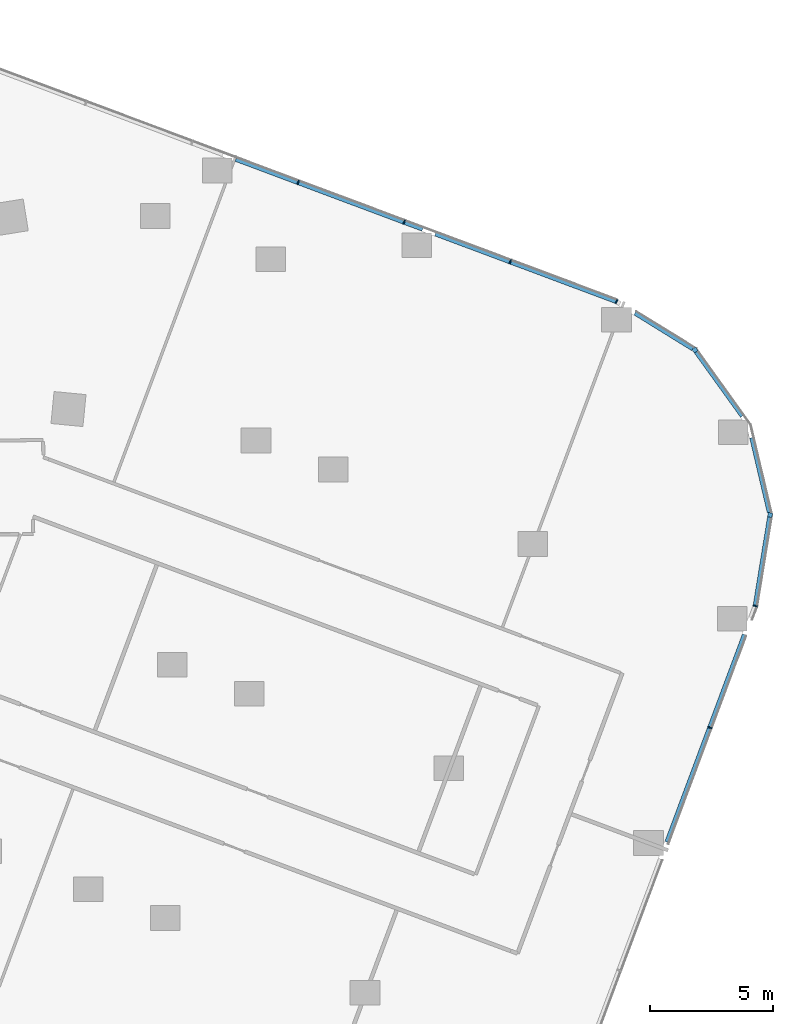
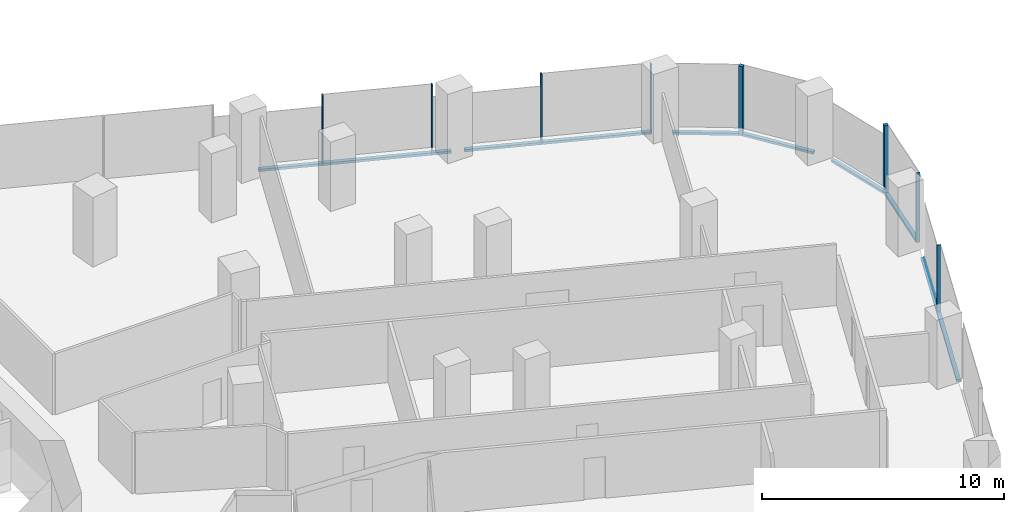
# One storey, part 10 of 31: 15 members, 6 elements without a shape of their own.
"""IFC4 building model written with IfcOpenShell, lengths in metres."""

from ifc_helpers import new_model, si_unit, direction, frame, origin, origin_2d, place, context, subcontext, project, spatial, rectangle, extrude, material, material_profile, profile_set, type_object, element, aggregate, save


model = new_model("IFC4")

# Units and contexts
model_context = context("Model", 3, precision=1e-05, world=origin(), true_north=direction((0.0, 1.0)))
body_context = subcontext(model_context, "Body", "Model", "MODEL_VIEW")
ifc_project = project(units=[si_unit("LENGTHUNIT", "METRE"), si_unit("AREAUNIT", "SQUARE_METRE"), si_unit("VOLUMEUNIT", "CUBIC_METRE"), si_unit("PLANEANGLEUNIT", "RADIAN"), si_unit("MASSUNIT", "GRAM", prefix="KILO")], contexts=[model_context])

# Site, building, storey
site_placement = place(None, origin())
site = spatial("IfcSite", under=ifc_project, at=site_placement, CompositionType="ELEMENT")
building_placement = place(site_placement, origin())
building = spatial("IfcBuilding", under=site, at=building_placement, Name="Orlundy Tower", CompositionType="ELEMENT")
storey_placement = place(building_placement, frame((0.0, 0.0, 94.699951171875)))
storey = spatial("IfcBuildingStorey", under=building, at=storey_placement, Name="L23", CompositionType="ELEMENT", Elevation=94.699951171875)

# Curtain wall, member
ifc_material_1 = material(Name="Aluminium bronze anodised", Category="aluminium")
curtain_wall_type = type_object("IfcCurtainWallType", Name="CW1 wall", PredefinedType="NOTDEFINED", material=ifc_material_1)
curtain_wall_1_placement = place(storey_placement, origin())
curtain_wall_1 = element("IfcCurtainWall", 1, at=curtain_wall_1_placement, inside=storey, type_object=curtain_wall_type, Name="CW1 run 08", PredefinedType="NOTDEFINED")
ifc_material_2 = material(Name="Aluminium bronze anodised", Category="aluminium")
ifc_material_profile_1 = material_profile(ifc_material_2, rectangle(XDim=0.179931640625, YDim=0.179931640625, at=origin_2d()), Name="CW1 corner post 180x180")
ifc_profile_set_1 = profile_set([ifc_material_profile_1], Name="Aluminium bronze anodised")
member_type_1 = type_object("IfcMemberType", Name="CW1 corner post 180x180", PredefinedType="MULLION", material=ifc_profile_set_1)
member_1_placement = place(storey_placement, frame((57.052490234375, -0.659912109375, -0.39990234375), z_axis=(0.0, 0.0, 1.0), x_axis=(0.811723617772, 0.584041752233, 0.0)))
member_1 = element("IfcMember", 2, at=member_1_placement, type_object=member_type_1, Name="CW1 mullion 33", PredefinedType="MULLION", context=body_context, shape_type="SweptSolid", body=[
    extrude(rectangle(XDim=0.179931640625, YDim=0.179931640625, at=origin_2d()), origin(), (0.0, 0.0, 1.0), 3.5),
])

curtain_wall_2_placement = place(storey_placement, origin())
curtain_wall_2 = element("IfcCurtainWall", 3, at=curtain_wall_2_placement, inside=storey, type_object=curtain_wall_type, Name="CW1 run 010", PredefinedType="NOTDEFINED")
member_2_placement = place(storey_placement, frame((60.0966796875, -7.3408203125, -0.39990234375), z_axis=(0.0, 0.0, 1.0), x_axis=(0.986985368462, -0.160810081906, 0.0)))
member_2 = element("IfcMember", 4, at=member_2_placement, type_object=member_type_1, Name="CW1 mullion 35", PredefinedType="MULLION", context=body_context, shape_type="SweptSolid", body=[
    extrude(rectangle(XDim=0.179931640625, YDim=0.179931640625, at=origin_2d()), origin(), (0.0, 0.0, 1.0), 3.5),
])

# Curtain wall, members
curtain_wall_3_placement = place(storey_placement, origin())
curtain_wall_3 = element("IfcCurtainWall", 5, at=curtain_wall_3_placement, inside=storey, type_object=curtain_wall_type, Name="CW1 run 06", PredefinedType="NOTDEFINED")
ifc_material_3 = material(Name="Aluminium bronze anodised", Category="aluminium")
ifc_material_profile_2 = material_profile(ifc_material_3, rectangle(XDim=0.179931640625, YDim=0.050048828125, at=origin_2d()), Name="CW1 mullion 50x180")
ifc_profile_set_2 = profile_set([ifc_material_profile_2], Name="Aluminium bronze anodised")
member_type_2 = type_object("IfcMemberType", Name="CW1 mullion 50x180", PredefinedType="MULLION", material=ifc_profile_set_2)
member_3_placement = place(storey_placement, frame((40.97509765625, 6.12841796875, -0.39990234375), z_axis=(0.0, 0.0, 1.0), x_axis=(0.350203812273, 0.93667352363, 0.0)))
member_3 = element("IfcMember", 6, at=member_3_placement, type_object=member_type_2, Name="CW1 mullion 29", PredefinedType="MULLION", context=body_context, shape_type="SweptSolid", body=[
    extrude(rectangle(XDim=0.179931640625, YDim=0.050048828125, at=origin_2d()), origin(), (0.0, 0.0, 1.0), 3.5),
])
member_4_placement = place(storey_placement, frame((45.273193359375, 4.521240234375, -0.39990234375), z_axis=(0.0, 0.0, 1.0), x_axis=(0.350203812273, 0.93667352363, 0.0)))
member_4 = element("IfcMember", 7, at=member_4_placement, type_object=member_type_2, Name="CW1 mullion 30", PredefinedType="MULLION", context=body_context, shape_type="SweptSolid", body=[
    extrude(rectangle(XDim=0.179931640625, YDim=0.050048828125, at=origin_2d()), origin(), (0.0, 0.0, 1.0), 3.5),
])
member_5_placement = place(storey_placement, frame((49.5712890625, 2.914306640625, -0.39990234375), z_axis=(0.0, 0.0, 1.0), x_axis=(0.350203812273, 0.93667352363, 0.0)))
member_5 = element("IfcMember", 8, at=member_5_placement, type_object=member_type_2, Name="CW1 mullion 31", PredefinedType="MULLION", context=body_context, shape_type="SweptSolid", body=[
    extrude(rectangle(XDim=0.179931640625, YDim=0.050048828125, at=origin_2d()), origin(), (0.0, 0.0, 1.0), 3.5),
])

# Curtain wall, member
curtain_wall_4_placement = place(storey_placement, origin())
curtain_wall_4 = element("IfcCurtainWall", 9, at=curtain_wall_4_placement, inside=storey, type_object=curtain_wall_type, Name="CW1 run 07", PredefinedType="NOTDEFINED")
member_6_placement = place(storey_placement, frame((53.8779296875, 1.30419921875, -0.39990234375), z_axis=(0.0, 0.0, 1.0), x_axis=(0.440276029631, 0.897862471503, 0.0)))
member_6 = element("IfcMember", 10, at=member_6_placement, type_object=member_type_2, Name="CW1 mullion 32", PredefinedType="MULLION", context=body_context, shape_type="SweptSolid", body=[
    extrude(rectangle(XDim=0.179931640625, YDim=0.050048828125, at=origin_2d()), origin(), (0.0, 0.0, 1.0), 3.5),
])

# Curtain wall, members
curtain_wall_5_placement = place(storey_placement, origin())
curtain_wall_5 = element("IfcCurtainWall", 11, at=curtain_wall_5_placement, inside=storey, type_object=curtain_wall_type, Name="CW1 run 011", PredefinedType="NOTDEFINED")
member_7_placement = place(storey_placement, frame((59.496337890625, -11.025146484375, -0.39990234375), z_axis=(0.0, 0.0, 1.0), x_axis=(0.966481186218, -0.256737446988, 0.0)))
member_7 = element("IfcMember", 12, at=member_7_placement, type_object=member_type_2, Name="CW1 mullion 36", PredefinedType="MULLION", context=body_context, shape_type="SweptSolid", body=[
    extrude(rectangle(XDim=0.179931640625, YDim=0.050048828125, at=origin_2d()), origin(), (0.0, 0.0, 1.0), 3.5),
])
member_8_placement = place(storey_placement, frame((57.65478515625, -15.950927734375, -0.39990234375), z_axis=(0.0, 0.0, 1.0), x_axis=(0.936677057252, -0.350194360916, 0.0)))
member_8 = element("IfcMember", 13, at=member_8_placement, type_object=member_type_2, Name="CW1 mullion 37", PredefinedType="MULLION", context=body_context, shape_type="SweptSolid", body=[
    extrude(rectangle(XDim=0.179931640625, YDim=0.050048828125, at=origin_2d()), origin(), (0.0, 0.0, 1.0), 3.5),
])

# Member
ifc_material_4 = material(Name="Aluminium bronze anodised", Category="aluminium")
ifc_material_profile_3 = material_profile(ifc_material_4, rectangle(XDim=0.179931640625, YDim=0.1201171875, at=origin_2d()), Name="CW1 transom 180x120")
ifc_profile_set_3 = profile_set([ifc_material_profile_3], Name="Aluminium bronze anodised")
member_type_3 = type_object("IfcMemberType", Name="CW1 transom 180x120", PredefinedType="USERDEFINED", material=ifc_profile_set_3)
member_9_placement = place(storey_placement, frame((38.4541015625, 7.07080078125, -0.33984375), z_axis=(0.936673902166, -0.35020279982, 0.0), x_axis=(0.35020279982, 0.936673902166, 0.0)))
member_9 = element("IfcMember", 14, at=member_9_placement, type_object=member_type_3, Name="CW1 transom", ObjectType="TRANSOM", PredefinedType="USERDEFINED", context=body_context, shape_type="SweptSolid", body=[
    extrude(rectangle(XDim=0.179931640625, YDim=0.1201171875, at=origin_2d()), origin(), (0.0, 0.0, 1.0), 8.08056640625),
])

member_10_placement = place(storey_placement, frame((46.541015625, 4.04736328125, -0.33984375), z_axis=(0.936669271794, -0.350215184246, 0.0), x_axis=(0.350215184246, 0.936669271794, 0.0)))
member_10 = element("IfcMember", 15, at=member_10_placement, type_object=member_type_3, Name="CW1 transom", ObjectType="TRANSOM", PredefinedType="USERDEFINED", context=body_context, shape_type="SweptSolid", body=[
    extrude(rectangle(XDim=0.179931640625, YDim=0.1201171875, at=origin_2d()), origin(), (0.0, 0.0, 1.0), 7.8076171875),
])

aggregate(curtain_wall_3, [member_3, member_4, member_5, member_9, member_10])

member_11_placement = place(storey_placement, frame((54.6259765625, 0.84130859375, -0.33984375), z_axis=(0.850418029211, -0.526107570363, 0.0), x_axis=(0.526107570363, 0.850418029211, 0.0)))
member_11 = element("IfcMember", 16, at=member_11_placement, type_object=member_type_3, Name="CW1 transom", ObjectType="TRANSOM", PredefinedType="USERDEFINED", context=body_context, shape_type="SweptSolid", body=[
    extrude(rectangle(XDim=0.179931640625, YDim=0.1201171875, at=origin_2d()), origin(), (0.0, 0.0, 1.0), 2.756103515625),
])

aggregate(curtain_wall_4, [member_6, member_11])

member_12_placement = place(storey_placement, frame((57.105224609375, -0.73291015625, -0.33984375), z_axis=(0.584015768049, -0.811742312972, 0.0), x_axis=(0.811742312972, 0.584015768049, 0.0)))
member_12 = element("IfcMember", 17, at=member_12_placement, type_object=member_type_3, Name="CW1 transom", ObjectType="TRANSOM", PredefinedType="USERDEFINED", context=body_context, shape_type="SweptSolid", body=[
    extrude(rectangle(XDim=0.179931640625, YDim=0.1201171875, at=origin_2d()), origin(), (0.0, 0.0, 1.0), 3.20556640625),
])

aggregate(curtain_wall_1, [member_1, member_12])

# Curtain wall, member
curtain_wall_6_placement = place(storey_placement, origin())
curtain_wall_6 = element("IfcCurtainWall", 18, at=curtain_wall_6_placement, inside=storey, type_object=curtain_wall_type, Name="CW1 run 09", PredefinedType="NOTDEFINED")
member_13_placement = place(storey_placement, frame((59.35888671875, -4.20947265625, -0.33984375), z_axis=(0.229383925771, -0.973336023477, 0.0), x_axis=(0.973336023477, 0.229383925771, 0.0)))
member_13 = element("IfcMember", 19, at=member_13_placement, type_object=member_type_3, Name="CW1 transom", ObjectType="TRANSOM", PredefinedType="USERDEFINED", context=body_context, shape_type="SweptSolid", body=[
    extrude(rectangle(XDim=0.179931640625, YDim=0.1201171875, at=origin_2d()), origin(), (0.0, 0.0, 1.0), 3.11962890625),
])
aggregate(curtain_wall_6, [member_13])

# Member
member_14_placement = place(storey_placement, frame((60.082275390625, -7.4296875, -0.33984375), z_axis=(-0.160808608313, -0.986985608554, 0.0), x_axis=(0.986985608554, -0.160808608313, 0.0)))
member_14 = element("IfcMember", 20, at=member_14_placement, type_object=member_type_3, Name="CW1 transom", ObjectType="TRANSOM", PredefinedType="USERDEFINED", context=body_context, shape_type="SweptSolid", body=[
    extrude(rectangle(XDim=0.179931640625, YDim=0.1201171875, at=origin_2d()), origin(), (0.0, 0.0, 1.0), 3.617919921875),
])

aggregate(curtain_wall_2, [member_2, member_14])

member_15_placement = place(storey_placement, frame((59.060546875, -12.19091796875, -0.33984375), z_axis=(-0.350201406125, -0.936674423238, 0.0), x_axis=(0.936674423238, -0.350201406125, 0.0)))
member_15 = element("IfcMember", 21, at=member_15_placement, type_object=member_type_3, Name="CW1 transom", ObjectType="TRANSOM", PredefinedType="USERDEFINED", context=body_context, shape_type="SweptSolid", body=[
    extrude(rectangle(XDim=0.179931640625, YDim=0.1201171875, at=origin_2d()), origin(), (0.0, 0.0, 1.0), 8.968017578125),
])

aggregate(curtain_wall_5, [member_7, member_8, member_15])

save(model, "model.ifc")
